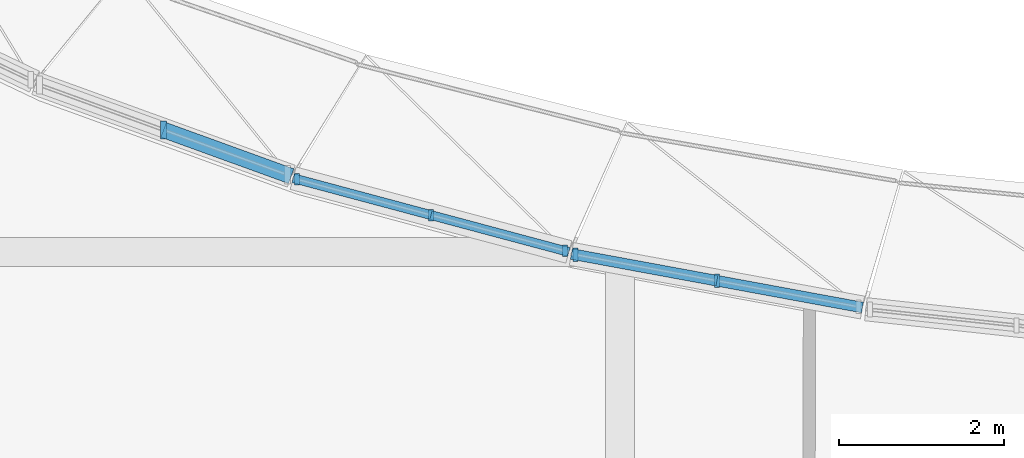
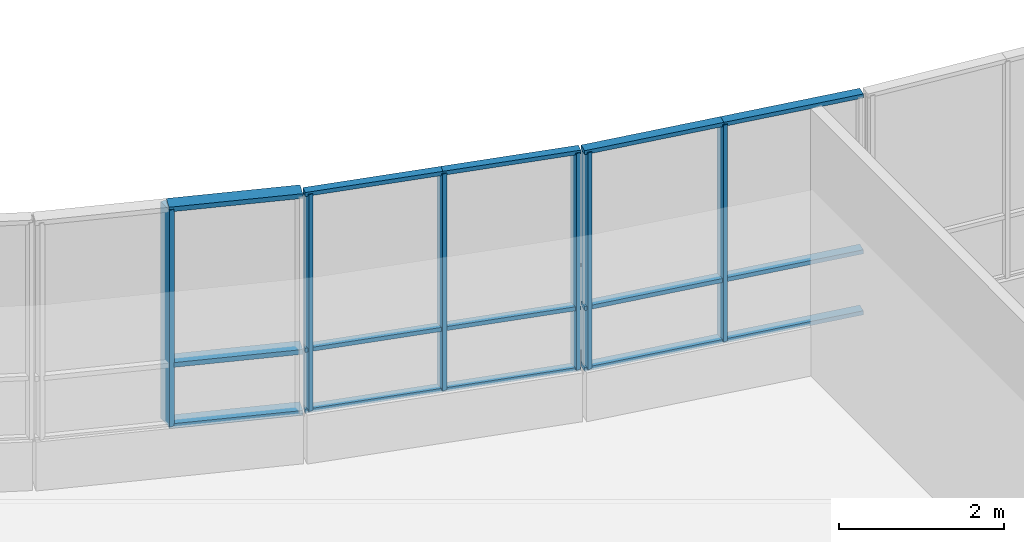
# One storey, part 12 of 84: 21 members, 3 elements without a shape of their own.
"""IFC4 building model written with IfcOpenShell, lengths in metres."""

from ifc_helpers import new_model, si_unit, direction, frame, origin, origin_2d, place, context, subcontext, project, spatial, rectangle, extrude, material, material_profile, profile_set, type_object, element, aggregate, save


model = new_model("IFC4")

# Units and contexts
model_context = context("Model", 3, precision=1e-05, world=origin(), true_north=direction((0.0, 1.0)))
body_context = subcontext(model_context, "Body", "Model", "MODEL_VIEW")
ifc_project = project(units=[si_unit("LENGTHUNIT", "METRE"), si_unit("AREAUNIT", "SQUARE_METRE"), si_unit("VOLUMEUNIT", "CUBIC_METRE"), si_unit("PLANEANGLEUNIT", "RADIAN"), si_unit("MASSUNIT", "GRAM", prefix="KILO")], contexts=[model_context])

# Site, building, storey
site_placement = place(None, origin())
site = spatial("IfcSite", under=ifc_project, at=site_placement, CompositionType="ELEMENT")
building_placement = place(site_placement, origin())
building = spatial("IfcBuilding", under=site, at=building_placement, Name="Mzevani Central Library", CompositionType="ELEMENT")
storey_placement = place(building_placement, frame((0.0, 0.0, 5.39990234375)))
storey = spatial("IfcBuildingStorey", under=building, at=storey_placement, Name="L01", CompositionType="ELEMENT", Elevation=5.39990234375)

# Curtain wall, members
ifc_material_1 = material(Name="Thermally broken aluminium and Low-E triple glazing", Category="aluminium")
curtain_wall_type_1 = type_object("IfcCurtainWallType", Name="Elliptical Court Unitised Curtain Wall", PredefinedType="NOTDEFINED", material=ifc_material_1)
curtain_wall_1_placement = place(storey_placement, origin())
curtain_wall_1 = element("IfcCurtainWall", 1, at=curtain_wall_1_placement, inside=storey, type_object=curtain_wall_type_1, Name="L01 Elliptical Court Curtain Wall 33", PredefinedType="NOTDEFINED")
ifc_material_2 = material(Name="Thermally broken aluminium AW-6060", Category="aluminium")
ifc_material_profile_1 = material_profile(ifc_material_2, rectangle(XDim=0.06005859375, YDim=0.139892578125, at=origin_2d()), Name="ALU M60x140")
ifc_profile_set_1 = profile_set([ifc_material_profile_1], Name="Thermally broken aluminium AW-6060")
member_type_1 = type_object("IfcMemberType", Name="CW Mullion 60x140", PredefinedType="MULLION", material=ifc_profile_set_1)
member_1_placement = place(storey_placement, frame((69.7001953125, 62.476806640625, 0.72021484375), z_axis=(0.0, 0.0, 1.0), x_axis=(1.0, 0.0, 0.0)))
member_1 = element("IfcMember", 2, at=member_1_placement, type_object=member_type_1, Name="L01 Elliptical Court Curtain Wall 33 Mullion 1", PredefinedType="MULLION", context=body_context, shape_type="SweptSolid", body=[
    extrude(rectangle(XDim=0.06005859375, YDim=0.139892578125, at=origin_2d()), origin(), (0.0, 0.0, 1.0), 3.199951171875),
])
member_2_placement = place(storey_placement, frame((71.31787109375, 62.0439453125, 0.72021484375), z_axis=(0.0, 0.0, 1.0), x_axis=(1.0, 0.0, 0.0)))
member_2 = element("IfcMember", 3, at=member_2_placement, type_object=member_type_1, Name="L01 Elliptical Court Curtain Wall 33 Mullion 2", PredefinedType="MULLION", context=body_context, shape_type="SweptSolid", body=[
    extrude(rectangle(XDim=0.06005859375, YDim=0.139892578125, at=origin_2d()), origin(), (0.0, 0.0, 1.0), 3.199951171875),
])
member_3_placement = place(storey_placement, frame((72.935546875, 61.611083984375, 0.72021484375), z_axis=(0.0, 0.0, 1.0), x_axis=(1.0, 0.0, 0.0)))
member_3 = element("IfcMember", 4, at=member_3_placement, type_object=member_type_1, Name="L01 Elliptical Court Curtain Wall 33 Mullion 3", PredefinedType="MULLION", context=body_context, shape_type="SweptSolid", body=[
    extrude(rectangle(XDim=0.06005859375, YDim=0.139892578125, at=origin_2d()), origin(), (0.0, 0.0, 1.0), 3.199951171875),
])

curtain_wall_type_2 = type_object("IfcCurtainWallType", Name="Reading Hall Northlight Curtain Wall", PredefinedType="NOTDEFINED", material=ifc_material_1)
curtain_wall_2_placement = place(storey_placement, origin())
curtain_wall_2 = element("IfcCurtainWall", 5, at=curtain_wall_2_placement, inside=storey, type_object=curtain_wall_type_2, Name="L01 Elliptical Court Curtain Wall 34", PredefinedType="NOTDEFINED")
ifc_material_profile_2 = material_profile(ifc_material_2, rectangle(XDim=0.06005859375, YDim=0.159912109375, at=origin_2d()), Name="ALU M60x160")
ifc_profile_set_2 = profile_set([ifc_material_profile_2], Name="Thermally broken aluminium AW-6060")
member_type_2 = type_object("IfcMemberType", Name="CW Mullion 60x160", PredefinedType="MULLION", material=ifc_profile_set_2)
member_4_placement = place(storey_placement, frame((73.064208984375, 61.5654296875, 0.72021484375), z_axis=(0.0, 0.0, 1.0), x_axis=(1.0, 0.0, 0.0)))
member_4 = element("IfcMember", 6, at=member_4_placement, type_object=member_type_2, Name="L01 Elliptical Court Curtain Wall 34 Mullion 1", PredefinedType="MULLION", context=body_context, shape_type="SweptSolid", body=[
    extrude(rectangle(XDim=0.06005859375, YDim=0.159912109375, at=origin_2d()), origin(), (0.0, 0.0, 1.0), 3.199951171875),
])
member_5_placement = place(storey_placement, frame((74.77392578125, 61.250244140625, 0.72021484375), z_axis=(0.0, 0.0, 1.0), x_axis=(1.0, 0.0, 0.0)))
member_5 = element("IfcMember", 7, at=member_5_placement, type_object=member_type_2, Name="L01 Elliptical Court Curtain Wall 34 Mullion 2", PredefinedType="MULLION", context=body_context, shape_type="SweptSolid", body=[
    extrude(rectangle(XDim=0.06005859375, YDim=0.159912109375, at=origin_2d()), origin(), (0.0, 0.0, 1.0), 3.199951171875),
])

# Curtain wall, member
curtain_wall_3_placement = place(storey_placement, origin())
curtain_wall_3 = element("IfcCurtainWall", 8, at=curtain_wall_3_placement, inside=storey, type_object=curtain_wall_type_1, Name="L01 Elliptical Court Curtain Wall 32", PredefinedType="NOTDEFINED")
ifc_material_profile_3 = material_profile(ifc_material_2, rectangle(XDim=0.070068359375, YDim=0.219970703125, at=origin_2d()), Name="ALU M70x220")
ifc_profile_set_3 = profile_set([ifc_material_profile_3], Name="Thermally broken aluminium AW-6060")
member_type_3 = type_object("IfcMemberType", Name="CW Mullion 70x220", PredefinedType="MULLION", material=ifc_profile_set_3)
member_6_placement = place(storey_placement, frame((68.084716796875, 63.073974609375, 0.72021484375), z_axis=(0.0, 0.0, 1.0), x_axis=(1.0, 0.0, 0.0)))
member_6 = element("IfcMember", 9, at=member_6_placement, type_object=member_type_3, Name="L01 Elliptical Court Curtain Wall 32 Mullion 2", PredefinedType="MULLION", context=body_context, shape_type="SweptSolid", body=[
    extrude(rectangle(XDim=0.070068359375, YDim=0.219970703125, at=origin_2d()), origin(), (0.0, 0.0, 1.0), 3.199951171875),
])

# Member
ifc_material_profile_4 = material_profile(ifc_material_2, rectangle(XDim=0.110107421875, YDim=0.06005859375, at=origin_2d()), Name="ALU T60x110")
ifc_profile_set_4 = profile_set([ifc_material_profile_4], Name="Thermally broken aluminium AW-6060")
member_type_4 = type_object("IfcMemberType", Name="CW Transom 60x110", PredefinedType="USERDEFINED", material=ifc_profile_set_4)
member_7_placement = place(storey_placement, frame((69.652099609375, 62.48974609375, 0.72021484375), z_axis=(0.966004264947, -0.258526130411, 0.0), x_axis=(0.258526130411, 0.966004264947, 0.0)))
member_7 = element("IfcMember", 10, at=member_7_placement, type_object=member_type_4, Name="L01 Elliptical Court Curtain Wall 33 Transom 1", ObjectType="TRANSOM", PredefinedType="USERDEFINED", context=body_context, shape_type="SweptSolid", body=[
    extrude(rectangle(XDim=0.110107421875, YDim=0.06005859375, at=origin_2d()), origin(), (0.0, 0.0, 1.0), 1.724365234375),
])

member_8_placement = place(storey_placement, frame((69.652099609375, 62.48974609375, 1.6201171875), z_axis=(0.966004264947, -0.258526130411, 0.0), x_axis=(0.258526130411, 0.966004264947, 0.0)))
member_8 = element("IfcMember", 11, at=member_8_placement, type_object=member_type_4, Name="L01 Elliptical Court Curtain Wall 33 Transom 2", ObjectType="TRANSOM", PredefinedType="USERDEFINED", context=body_context, shape_type="SweptSolid", body=[
    extrude(rectangle(XDim=0.110107421875, YDim=0.06005859375, at=origin_2d()), origin(), (0.0, 0.0, 1.0), 1.724365234375),
])

member_9_placement = place(storey_placement, frame((69.652099609375, 62.48974609375, 3.920166015625), z_axis=(0.966004264947, -0.258526130411, 0.0), x_axis=(0.258526130411, 0.966004264947, 0.0)))
member_9 = element("IfcMember", 12, at=member_9_placement, type_object=member_type_4, Name="L01 Elliptical Court Curtain Wall 33 Transom 3", ObjectType="TRANSOM", PredefinedType="USERDEFINED", context=body_context, shape_type="SweptSolid", body=[
    extrude(rectangle(XDim=0.110107421875, YDim=0.06005859375, at=origin_2d()), origin(), (0.0, 0.0, 1.0), 1.724365234375),
])

member_10_placement = place(storey_placement, frame((71.31787109375, 62.0439453125, 0.72021484375), z_axis=(0.966013725651, -0.258490777116, 0.0), x_axis=(0.258490777116, 0.966013725651, 0.0)))
member_10 = element("IfcMember", 13, at=member_10_placement, type_object=member_type_4, Name="L01 Elliptical Court Curtain Wall 33 Transom 4", ObjectType="TRANSOM", PredefinedType="USERDEFINED", context=body_context, shape_type="SweptSolid", body=[
    extrude(rectangle(XDim=0.110107421875, YDim=0.06005859375, at=origin_2d()), origin(), (0.0, 0.0, 1.0), 1.724609375),
])

member_11_placement = place(storey_placement, frame((71.31787109375, 62.0439453125, 1.6201171875), z_axis=(0.966013725651, -0.258490777116, 0.0), x_axis=(0.258490777116, 0.966013725651, 0.0)))
member_11 = element("IfcMember", 14, at=member_11_placement, type_object=member_type_4, Name="L01 Elliptical Court Curtain Wall 33 Transom 5", ObjectType="TRANSOM", PredefinedType="USERDEFINED", context=body_context, shape_type="SweptSolid", body=[
    extrude(rectangle(XDim=0.110107421875, YDim=0.06005859375, at=origin_2d()), origin(), (0.0, 0.0, 1.0), 1.724609375),
])

member_12_placement = place(storey_placement, frame((71.31787109375, 62.0439453125, 3.920166015625), z_axis=(0.966013725651, -0.258490777116, 0.0), x_axis=(0.258490777116, 0.966013725651, 0.0)))
member_12 = element("IfcMember", 15, at=member_12_placement, type_object=member_type_4, Name="L01 Elliptical Court Curtain Wall 33 Transom 6", ObjectType="TRANSOM", PredefinedType="USERDEFINED", context=body_context, shape_type="SweptSolid", body=[
    extrude(rectangle(XDim=0.110107421875, YDim=0.06005859375, at=origin_2d()), origin(), (0.0, 0.0, 1.0), 1.724609375),
])

aggregate(curtain_wall_1, [member_1, member_2, member_3, member_7, member_8, member_9, member_10, member_11, member_12])

ifc_material_profile_5 = material_profile(ifc_material_2, rectangle(XDim=0.1298828125, YDim=0.06005859375, at=origin_2d()), Name="ALU T60x130")
ifc_profile_set_5 = profile_set([ifc_material_profile_5], Name="Thermally broken aluminium AW-6060")
member_type_5 = type_object("IfcMemberType", Name="CW Transom 60x130", PredefinedType="USERDEFINED", material=ifc_profile_set_5)
member_13_placement = place(storey_placement, frame((73.01513671875, 61.574462890625, 0.72021484375), z_axis=(0.983430139146, -0.181287510381, 0.0), x_axis=(0.181287510381, 0.983430139146, 0.0)))
member_13 = element("IfcMember", 16, at=member_13_placement, type_object=member_type_5, Name="L01 Elliptical Court Curtain Wall 34 Transom 1", ObjectType="TRANSOM", PredefinedType="USERDEFINED", context=body_context, shape_type="SweptSolid", body=[
    extrude(rectangle(XDim=0.1298828125, YDim=0.06005859375, at=origin_2d()), origin(), (0.0, 0.0, 1.0), 1.788330078125),
])

member_14_placement = place(storey_placement, frame((73.01513671875, 61.574462890625, 1.6201171875), z_axis=(0.983430139146, -0.181287510381, 0.0), x_axis=(0.181287510381, 0.983430139146, 0.0)))
member_14 = element("IfcMember", 17, at=member_14_placement, type_object=member_type_5, Name="L01 Elliptical Court Curtain Wall 34 Transom 2", ObjectType="TRANSOM", PredefinedType="USERDEFINED", context=body_context, shape_type="SweptSolid", body=[
    extrude(rectangle(XDim=0.1298828125, YDim=0.06005859375, at=origin_2d()), origin(), (0.0, 0.0, 1.0), 1.788330078125),
])

member_15_placement = place(storey_placement, frame((73.01513671875, 61.574462890625, 3.920166015625), z_axis=(0.983430139146, -0.181287510381, 0.0), x_axis=(0.181287510381, 0.983430139146, 0.0)))
member_15 = element("IfcMember", 18, at=member_15_placement, type_object=member_type_5, Name="L01 Elliptical Court Curtain Wall 34 Transom 3", ObjectType="TRANSOM", PredefinedType="USERDEFINED", context=body_context, shape_type="SweptSolid", body=[
    extrude(rectangle(XDim=0.1298828125, YDim=0.06005859375, at=origin_2d()), origin(), (0.0, 0.0, 1.0), 1.788330078125),
])

member_16_placement = place(storey_placement, frame((74.77392578125, 61.250244140625, 0.72021484375), z_axis=(0.983458947834, -0.181131162217, 0.0), x_axis=(0.181131162217, 0.983458947834, 0.0)))
member_16 = element("IfcMember", 19, at=member_16_placement, type_object=member_type_5, Name="L01 Elliptical Court Curtain Wall 34 Transom 4", ObjectType="TRANSOM", PredefinedType="USERDEFINED", context=body_context, shape_type="SweptSolid", body=[
    extrude(rectangle(XDim=0.1298828125, YDim=0.06005859375, at=origin_2d()), origin(), (0.0, 0.0, 1.0), 1.78857421875),
])

member_17_placement = place(storey_placement, frame((74.77392578125, 61.250244140625, 1.6201171875), z_axis=(0.983458947834, -0.181131162217, 0.0), x_axis=(0.181131162217, 0.983458947834, 0.0)))
member_17 = element("IfcMember", 20, at=member_17_placement, type_object=member_type_5, Name="L01 Elliptical Court Curtain Wall 34 Transom 5", ObjectType="TRANSOM", PredefinedType="USERDEFINED", context=body_context, shape_type="SweptSolid", body=[
    extrude(rectangle(XDim=0.1298828125, YDim=0.06005859375, at=origin_2d()), origin(), (0.0, 0.0, 1.0), 1.78857421875),
])

member_18_placement = place(storey_placement, frame((74.77392578125, 61.250244140625, 3.920166015625), z_axis=(0.983458947834, -0.181131162217, 0.0), x_axis=(0.181131162217, 0.983458947834, 0.0)))
member_18 = element("IfcMember", 21, at=member_18_placement, type_object=member_type_5, Name="L01 Elliptical Court Curtain Wall 34 Transom 6", ObjectType="TRANSOM", PredefinedType="USERDEFINED", context=body_context, shape_type="SweptSolid", body=[
    extrude(rectangle(XDim=0.1298828125, YDim=0.06005859375, at=origin_2d()), origin(), (0.0, 0.0, 1.0), 1.78857421875),
])

aggregate(curtain_wall_2, [member_4, member_5, member_13, member_14, member_15, member_16, member_17, member_18])

ifc_material_profile_6 = material_profile(ifc_material_2, rectangle(XDim=0.18994140625, YDim=0.070068359375, at=origin_2d()), Name="ALU T70x190")
ifc_profile_set_6 = profile_set([ifc_material_profile_6], Name="Thermally broken aluminium AW-6060")
member_type_6 = type_object("IfcMemberType", Name="CW Transom 70x190", PredefinedType="USERDEFINED", material=ifc_profile_set_6)
member_19_placement = place(storey_placement, frame((68.084716796875, 63.073974609375, 0.72021484375), z_axis=(0.940096777535, -0.340907683792, 0.0), x_axis=(0.340907683792, 0.940096777535, 0.0)))
member_19 = element("IfcMember", 22, at=member_19_placement, type_object=member_type_6, Name="L01 Elliptical Court Curtain Wall 32 Transom 4", ObjectType="TRANSOM", PredefinedType="USERDEFINED", context=body_context, shape_type="SweptSolid", body=[
    extrude(rectangle(XDim=0.18994140625, YDim=0.070068359375, at=origin_2d()), origin(), (0.0, 0.0, 1.0), 1.642822265625),
])

member_20_placement = place(storey_placement, frame((68.084716796875, 63.073974609375, 1.6201171875), z_axis=(0.940096777535, -0.340907683792, 0.0), x_axis=(0.340907683792, 0.940096777535, 0.0)))
member_20 = element("IfcMember", 23, at=member_20_placement, type_object=member_type_6, Name="L01 Elliptical Court Curtain Wall 32 Transom 5", ObjectType="TRANSOM", PredefinedType="USERDEFINED", context=body_context, shape_type="SweptSolid", body=[
    extrude(rectangle(XDim=0.18994140625, YDim=0.070068359375, at=origin_2d()), origin(), (0.0, 0.0, 1.0), 1.642822265625),
])

member_21_placement = place(storey_placement, frame((68.084716796875, 63.073974609375, 3.920166015625), z_axis=(0.940096777535, -0.340907683792, 0.0), x_axis=(0.340907683792, 0.940096777535, 0.0)))
member_21 = element("IfcMember", 24, at=member_21_placement, type_object=member_type_6, Name="L01 Elliptical Court Curtain Wall 32 Transom 6", ObjectType="TRANSOM", PredefinedType="USERDEFINED", context=body_context, shape_type="SweptSolid", body=[
    extrude(rectangle(XDim=0.18994140625, YDim=0.070068359375, at=origin_2d()), origin(), (0.0, 0.0, 1.0), 1.642822265625),
])

aggregate(curtain_wall_3, [member_6, member_19, member_20, member_21])

save(model, "model.ifc")
